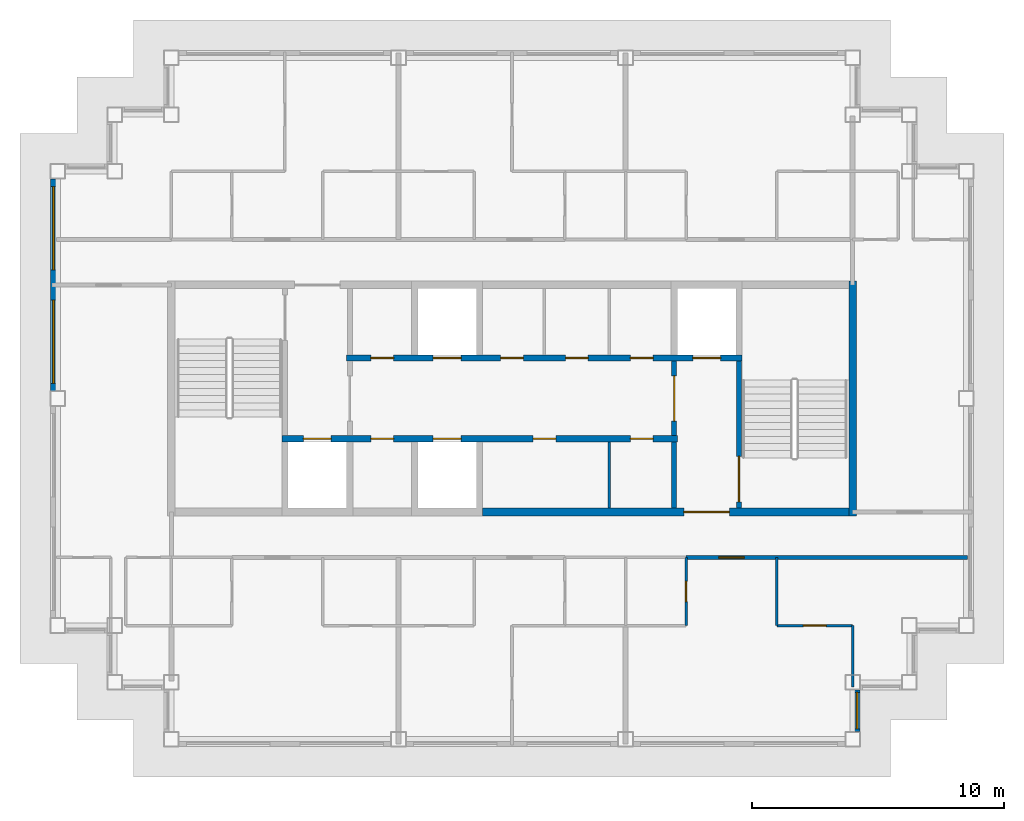
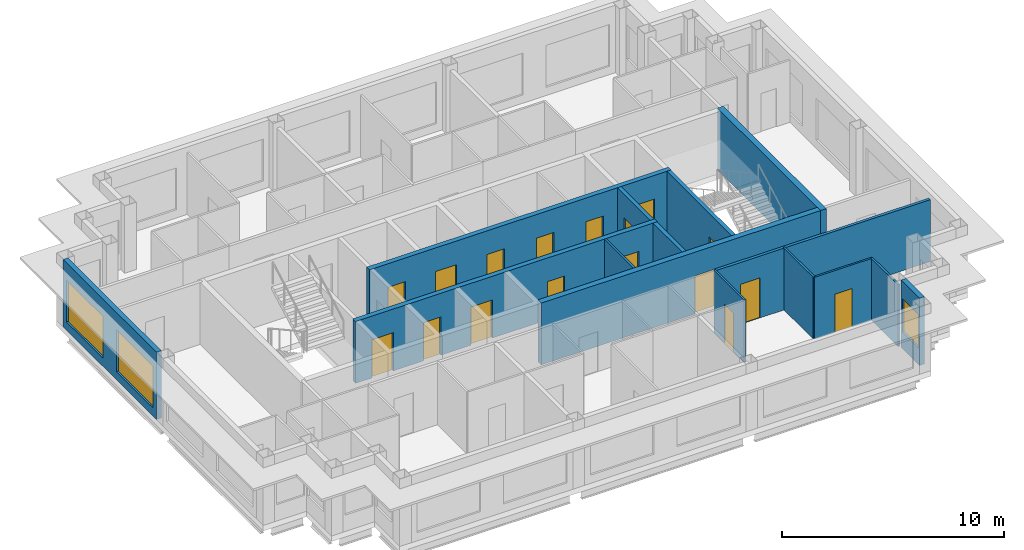
# One storey, part 3 of 11: 17 doors, 15 walls, 3 windows, 20 openings.
"""IFC4 building model written with IfcOpenShell, lengths in metres."""

from ifc_helpers import new_model, si_unit, direction, frame, frame_2d, origin, place, context, subcontext, project, spatial, rectangle, extrude, material, layer, layer_set, type_object, element, fill, save


model = new_model("IFC4")

# Units and contexts
model_context = context("Model", 3, precision=1e-05, world=origin(), true_north=direction((0.0, 1.0)))
body_context = subcontext(model_context, "Body", "Model", "MODEL_VIEW")
ifc_project = project(units=[si_unit("LENGTHUNIT", "METRE"), si_unit("AREAUNIT", "SQUARE_METRE"), si_unit("VOLUMEUNIT", "CUBIC_METRE"), si_unit("PLANEANGLEUNIT", "RADIAN"), si_unit("MASSUNIT", "GRAM", prefix="KILO")], contexts=[model_context])

# Site, building, storey
site_placement = place(None, origin())
site = spatial("IfcSite", under=ifc_project, at=site_placement, CompositionType="ELEMENT")
building_placement = place(site_placement, origin())
building = spatial("IfcBuilding", under=site, at=building_placement, Name="Caravel Reach Hotel and Residences", CompositionType="ELEMENT")
storey_placement = place(building_placement, frame((0.0, 0.0, 298.199951171875)))
storey = spatial("IfcBuildingStorey", under=building, at=storey_placement, Name="L76", CompositionType="ELEMENT", Elevation=298.199951171875)

# Wall, opening, door
ifc_material_1 = material(Name="Gypsum board on steel stud", Category="steel")
ifc_layer_1 = layer(ifc_material_1, 0.10009765625)
ifc_layer_set_1 = layer_set([ifc_layer_1], Name="Bathroom pod wall 100 mm")
wall_type_1 = type_object("IfcWallType", Name="Bathroom pod wall 100 mm", PredefinedType="PARTITIONING", material=ifc_layer_set_1)
wall_1_placement = place(storey_placement, frame((38.39990234375, 18.0, 0.0), z_axis=(0.0, 0.0, 1.0), x_axis=(0.0, 1.0, 0.0)))
wall_1 = element("IfcWall", 1, at=wall_1_placement, inside=storey, type_object=wall_type_1, Name="L76 wall w077", PredefinedType="PARTITIONING", context=body_context, shape_type="SweptSolid", body=[
    extrude(rectangle(XDim=2.699951171875, YDim=0.10009765625, at=frame_2d((1.35009765625, 0.0))), origin(), (0.0, 0.0, 1.0), 3.400146484375),
])
opening_1_placement = place(wall_1_placement, frame((0.949951171875, 0.0, 0.0)))
opening_1 = element("IfcOpeningElement", 2, at=opening_1_placement, cuts=wall_1, Name="Opening D76-037", PredefinedType="OPENING", context=body_context, shape_type="SweptSolid", body=[
    extrude(rectangle(XDim=0.800048828125, YDim=2.10009765625, at=frame_2d((0.39990234375, 1.050048828125))), frame((0.0, 0.06005859375, 0.0), z_axis=(0.0, -1.0, 0.0), x_axis=(1.0, 0.0, 0.0)), (0.0, 0.0, 1.0), 0.1201171875),
])
ifc_material_2 = material(Name="Timber and steel door leaf", Category="steel")
door_type_1 = type_object("IfcDoorType", Name="Bathroom door 800 x 2100", OperationType="SINGLE_SWING_LEFT", PredefinedType="DOOR", material=ifc_material_2)
door_1_placement = place(opening_1_placement, origin())
door_1 = element("IfcDoor", 3, at=door_1_placement, inside=storey, type_object=door_type_1, Name="door D76-037", OperationType="SINGLE_SWING_LEFT", OverallHeight=2.10009765625, OverallWidth=0.800048828125, PredefinedType="DOOR", context=body_context, shape_type="SweptSolid", body=[
    extrude(rectangle(XDim=0.800048828125, YDim=2.10009765625, at=frame_2d((0.39990234375, 1.050048828125))), frame((0.0, 0.02490234375, 0.0), z_axis=(0.0, -1.0, 0.0), x_axis=(1.0, 0.0, 0.0)), (0.0, 0.0, 1.0), 0.050048828125),
])
fill(opening_1, door_1)

# Wall
ifc_material_3 = material(Name="Autoclaved aerated block wall")
ifc_layer_2 = layer(ifc_material_3, 0.199951171875)
ifc_layer_set_2 = layer_set([ifc_layer_2], Name="Compartment wall 200 mm EI 120")
wall_type_2 = type_object("IfcWallType", Name="Compartment wall 200 mm EI 120", PredefinedType="PARTITIONING", material=ifc_layer_set_2)
wall_2_placement = place(storey_placement, frame((37.928466796875, 22.64990234375, 0.0), z_axis=(0.0, 0.0, 1.0), x_axis=(0.0, 1.0, 0.0)))
element("IfcWall", 4, at=wall_2_placement, inside=storey, type_object=wall_type_2, Name="L76 store partition", PredefinedType="PARTITIONING", context=body_context, shape_type="SweptSolid", body=[
    extrude(rectangle(XDim=2.625, YDim=0.199951171875, at=frame_2d((1.3125, 0.0))), origin(), (0.0, 0.0, 1.0), 3.400146484375),
])

# Wall, opening, door
ifc_material_4 = material(Name="Concrete C60", Category="concrete")
ifc_layer_3 = layer(ifc_material_4, 0.300048828125)
ifc_layer_set_3 = layer_set([ifc_layer_3], Name="Core wall 300 mm EI 120")
wall_type_3 = type_object("IfcWallType", Name="Core wall 300 mm EI 120", PredefinedType="SHEAR", material=ifc_layer_set_3)
wall_3_placement = place(storey_placement, frame((30.33935546875, 22.5, 0.0), z_axis=(0.0, 0.0, 1.0), x_axis=(1.0, 0.0, 0.0)))
wall_3 = element("IfcWall", 5, at=wall_3_placement, inside=storey, type_object=wall_type_3, Name="L76 core wall S3", PredefinedType="SHEAR", context=body_context, shape_type="SweptSolid", body=[
    extrude(rectangle(XDim=14.5107421875, YDim=0.300048828125, at=frame_2d((7.25537109375, 0.0))), origin(), (0.0, 0.0, 1.0), 3.400146484375),
])
opening_2_placement = place(wall_3_placement, frame((7.97509765625, 0.0, 0.0)))
opening_2 = element("IfcOpeningElement", 6, at=opening_2_placement, cuts=wall_3, Name="Opening D76-017", PredefinedType="OPENING", context=body_context, shape_type="SweptSolid", body=[
    extrude(rectangle(XDim=1.800048828125, YDim=2.10009765625, at=frame_2d((0.89990234375, 1.050048828125))), frame((0.0, 0.159912109375, 0.0), z_axis=(0.0, -1.0, 0.0), x_axis=(1.0, 0.0, 0.0)), (0.0, 0.0, 1.0), 0.320068359375),
])
ifc_material_5 = material(Name="Steel fire door leaf", Category="steel")
door_type_2 = type_object("IfcDoorType", Name="Fire lobby door pair 1800 x 2100 EI 90", OperationType="DOUBLE_DOOR_SINGLE_SWING", PredefinedType="DOOR", material=ifc_material_5)
door_2_placement = place(opening_2_placement, origin())
door_2 = element("IfcDoor", 7, at=door_2_placement, inside=storey, type_object=door_type_2, Name="lobby S door pair to corridor", OperationType="DOUBLE_DOOR_SINGLE_SWING", OverallHeight=2.10009765625, OverallWidth=1.800048828125, PredefinedType="DOOR", context=body_context, shape_type="SweptSolid", body=[
    extrude(rectangle(XDim=1.800048828125, YDim=2.10009765625, at=frame_2d((0.89990234375, 1.050048828125))), frame((0.0, 0.02490234375, 0.0), z_axis=(0.0, -1.0, 0.0), x_axis=(1.0, 0.0, 0.0)), (0.0, 0.0, 1.0), 0.050048828125),
])
fill(opening_2, door_2)

# Wall
wall_4_placement = place(storey_placement, frame((45.0, 22.35009765625, 0.0), z_axis=(0.0, 0.0, 1.0), x_axis=(0.0, 1.0, 0.0)))
element("IfcWall", 8, at=wall_4_placement, inside=storey, type_object=wall_type_3, Name="L76 core wall E", PredefinedType="SHEAR", context=body_context, shape_type="SweptSolid", body=[
    extrude(rectangle(XDim=9.2998046875, YDim=0.300048828125, at=frame_2d((4.64990234375, 0.0))), origin(), (0.0, 0.0, 1.0), 3.400146484375),
])

# Wall, opening, door
ifc_material_6 = material(Name="Gypsum board on steel stud, fire-rated", Category="steel")
ifc_layer_4 = layer(ifc_material_6, 0.14990234375)
ifc_layer_set_4 = layer_set([ifc_layer_4], Name="Corridor wall 150 mm EI 60")
wall_type_4 = type_object("IfcWallType", Name="Corridor wall 150 mm EI 60", PredefinedType="PARTITIONING", material=ifc_layer_set_4)
wall_5_placement = place(storey_placement, frame((38.39990234375, 20.699951171875, 0.0), z_axis=(0.0, 0.0, 1.0), x_axis=(1.0, 0.0, 0.0)))
wall_5 = element("IfcWall", 9, at=wall_5_placement, inside=storey, type_object=wall_type_4, Name="L76 wall w005", PredefinedType="PARTITIONING", context=body_context, shape_type="SweptSolid", body=[
    extrude(rectangle(XDim=11.150146484375, YDim=0.14990234375, at=frame_2d((5.5751953125, 0.0))), origin(), (0.0, 0.0, 1.0), 3.400146484375),
])
opening_3_placement = place(wall_5_placement, frame((1.300048828125, 0.0, 0.0)))
opening_3 = element("IfcOpeningElement", 10, at=opening_3_placement, cuts=wall_5, Name="Opening D76-036", PredefinedType="OPENING", context=body_context, shape_type="SweptSolid", body=[
    extrude(rectangle(XDim=1.0, YDim=2.199951171875, at=frame_2d((0.5, 1.10009765625))), frame((0.0, 0.0849609375, 0.0), z_axis=(0.0, -1.0, 0.0), x_axis=(1.0, 0.0, 0.0)), (0.0, 0.0, 1.0), 0.169921875),
])
ifc_material_7 = material(Name="Steel fire door leaf", Category="steel")
door_type_3 = type_object("IfcDoorType", Name="Flat entrance door 1000 x 2200 EI 60", OperationType="SINGLE_SWING_LEFT", PredefinedType="DOOR", material=ifc_material_7)
door_3_placement = place(opening_3_placement, origin())
door_3 = element("IfcDoor", 11, at=door_3_placement, inside=storey, type_object=door_type_3, Name="door D76-036", OperationType="SINGLE_SWING_LEFT", OverallHeight=2.199951171875, OverallWidth=1.0, PredefinedType="DOOR", context=body_context, shape_type="SweptSolid", body=[
    extrude(rectangle(XDim=1.0, YDim=2.199951171875, at=frame_2d((0.5, 1.10009765625))), frame((0.0, 0.02490234375, 0.0), z_axis=(0.0, -1.0, 0.0), x_axis=(1.0, 0.0, 0.0)), (0.0, 0.0, 1.0), 0.050048828125),
])
fill(opening_3, door_3)

# Wall, opening, window
ifc_material_8 = material(Name="Insulated rainscreen wall, aluminium cladding", Category="aluminium")
ifc_layer_5 = layer(ifc_material_8, 0.25)
ifc_layer_set_5 = layer_set([ifc_layer_5], Name="EW1 Tower rainscreen wall")
wall_type_5 = type_object("IfcWallType", Name="EW1 Tower rainscreen wall", PredefinedType="SOLIDWALL", material=ifc_layer_set_5)
wall_6_placement = place(storey_placement, frame((45.175048828125, 13.800048828125, 0.0), z_axis=(0.0, 0.0, 1.0), x_axis=(0.0, 1.0, 0.0)))
wall_6 = element("IfcWall", 12, at=wall_6_placement, inside=storey, type_object=wall_type_5, Name="External wall L76 E1.1", PredefinedType="SOLIDWALL", context=body_context, shape_type="SweptSolid", body=[
    extrude(rectangle(XDim=1.64990234375, YDim=0.25, at=frame_2d((0.824951171875, 0.0))), origin(), (0.0, 0.0, 1.0), 3.699951171875),
])
opening_4_placement = place(wall_6_placement, frame((0.10009765625, 0.0, 0.89990234375)))
opening_4 = element("IfcOpeningElement", 13, at=opening_4_placement, cuts=wall_6, Name="Opening WN25", PredefinedType="OPENING", context=body_context, shape_type="SweptSolid", body=[
    extrude(rectangle(XDim=1.449951171875, YDim=1.85009765625, at=frame_2d((0.72509765625, 0.925048828125))), frame((0.0, 0.135009765625, 0.0), z_axis=(0.0, -1.0, 0.0), x_axis=(1.0, 0.0, 0.0)), (0.0, 0.0, 1.0), 0.27001953125),
])
ifc_material_9 = material(Name="Dark low-e glazing in black aluminium frame", Category="aluminium")
window_type_1 = type_object("IfcWindowType", Name="Residence bedroom window 1450 x 1850", PartitioningType="SINGLE_PANEL", PredefinedType="WINDOW", material=ifc_material_9)
window_1_placement = place(opening_4_placement, origin())
window_1 = element("IfcWindow", 14, at=window_1_placement, inside=storey, type_object=window_type_1, Name="Window L76 E1.1.1", OverallHeight=1.85009765625, OverallWidth=1.449951171875, PartitioningType="SINGLE_PANEL", PredefinedType="WINDOW", context=body_context, shape_type="SweptSolid", body=[
    extrude(rectangle(XDim=1.449951171875, YDim=1.85009765625, at=frame_2d((0.72509765625, 0.925048828125))), frame((0.0, 0.030029296875, 0.0), z_axis=(0.0, -1.0, 0.0), x_axis=(1.0, 0.0, 0.0)), (0.0, 0.0, 1.0), 0.06005859375),
])
fill(opening_4, window_1)

# Wall, openings, windows
wall_7_placement = place(storey_placement, frame((13.324951171875, 35.699951171875, 0.0), z_axis=(0.0, 0.0, 1.0), x_axis=(0.0, -1.0, 0.0)))
wall_7 = element("IfcWall", 15, at=wall_7_placement, inside=storey, type_object=wall_type_5, Name="External wall L76 W15.1", PredefinedType="SOLIDWALL", context=body_context, shape_type="SweptSolid", body=[
    extrude(rectangle(XDim=8.39990234375, YDim=0.25, at=frame_2d((4.199951171875, 0.0))), origin(), (0.0, 0.0, 1.0), 3.699951171875),
])
opening_5_placement = place(wall_7_placement, frame((0.300048828125, 0.0, 0.449951171875)))
opening_5 = element("IfcOpeningElement", 16, at=opening_5_placement, cuts=wall_7, Name="Opening WN15", PredefinedType="OPENING", context=body_context, shape_type="SweptSolid", body=[
    extrude(rectangle(XDim=3.300048828125, YDim=2.300048828125, at=frame_2d((1.64990234375, 1.14990234375))), frame((0.0, 0.135009765625, 0.0), z_axis=(0.0, -1.0, 0.0), x_axis=(1.0, 0.0, 0.0)), (0.0, 0.0, 1.0), 0.27001953125),
])
opening_6_placement = place(wall_7_placement, frame((4.800048828125, 0.0, 0.449951171875)))
opening_6 = element("IfcOpeningElement", 17, at=opening_6_placement, cuts=wall_7, Name="Opening WN15", PredefinedType="OPENING", context=body_context, shape_type="SweptSolid", body=[
    extrude(rectangle(XDim=3.300048828125, YDim=2.300048828125, at=frame_2d((1.64990234375, 1.14990234375))), frame((0.0, 0.135009765625, 0.0), z_axis=(0.0, -1.0, 0.0), x_axis=(1.0, 0.0, 0.0)), (0.0, 0.0, 1.0), 0.27001953125),
])
ifc_material_10 = material(Name="Dark low-e glazing in black aluminium frame", Category="aluminium")
window_type_2 = type_object("IfcWindowType", Name="Residence living window 3300 x 2300", PartitioningType="SINGLE_PANEL", PredefinedType="WINDOW", material=ifc_material_10)
window_2_placement = place(opening_5_placement, origin())
window_2 = element("IfcWindow", 18, at=window_2_placement, inside=storey, type_object=window_type_2, Name="Window L76 W15.1.1", OverallHeight=2.300048828125, OverallWidth=3.300048828125, PartitioningType="SINGLE_PANEL", PredefinedType="WINDOW", context=body_context, shape_type="SweptSolid", body=[
    extrude(rectangle(XDim=3.300048828125, YDim=2.300048828125, at=frame_2d((1.64990234375, 1.14990234375))), frame((0.0, 0.030029296875, 0.0), z_axis=(0.0, -1.0, 0.0), x_axis=(1.0, 0.0, 0.0)), (0.0, 0.0, 1.0), 0.06005859375),
])
fill(opening_5, window_2)
window_3_placement = place(opening_6_placement, origin())
window_3 = element("IfcWindow", 19, at=window_3_placement, inside=storey, type_object=window_type_2, Name="Window L76 W15.1.2", OverallHeight=2.300048828125, OverallWidth=3.300048828125, PartitioningType="SINGLE_PANEL", PredefinedType="WINDOW", context=body_context, shape_type="SweptSolid", body=[
    extrude(rectangle(XDim=3.300048828125, YDim=2.300048828125, at=frame_2d((1.64990234375, 1.14990234375))), frame((0.0, 0.030029296875, 0.0), z_axis=(0.0, -1.0, 0.0), x_axis=(1.0, 0.0, 0.0)), (0.0, 0.0, 1.0), 0.06005859375),
])
fill(opening_6, window_3)

# Wall, opening, door
ifc_material_11 = material(Name="Autoclaved aerated block wall")
ifc_layer_6 = layer(ifc_material_11, 0.199951171875)
ifc_layer_set_6 = layer_set([ifc_layer_6], Name="Fire lobby wall 200 mm EI 120")
wall_type_6 = type_object("IfcWallType", Name="Fire lobby wall 200 mm EI 120", PredefinedType="PARTITIONING", material=ifc_layer_set_6)
wall_8_placement = place(storey_placement, frame((37.928466796875, 25.52490234375, 0.0), z_axis=(0.0, 0.0, 1.0), x_axis=(0.0, 1.0, 0.0)))
wall_8 = element("IfcWall", 20, at=wall_8_placement, inside=storey, type_object=wall_type_6, Name="L76 lobby E wall", PredefinedType="PARTITIONING", context=body_context, shape_type="SweptSolid", body=[
    extrude(rectangle(XDim=2.9501953125, YDim=0.199951171875, at=frame_2d((1.47509765625, 0.0))), origin(), (0.0, 0.0, 1.0), 3.400146484375),
])
opening_7_placement = place(wall_8_placement, frame((0.574951171875, 0.0, 0.0)))
opening_7 = element("IfcOpeningElement", 21, at=opening_7_placement, cuts=wall_8, Name="Opening D76-015", PredefinedType="OPENING", context=body_context, shape_type="SweptSolid", body=[
    extrude(rectangle(XDim=1.800048828125, YDim=2.10009765625, at=frame_2d((0.89990234375, 1.050048828125))), frame((0.0, 0.10986328125, 0.0), z_axis=(0.0, -1.0, 0.0), x_axis=(1.0, 0.0, 0.0)), (0.0, 0.0, 1.0), 0.219970703125),
])
door_4_placement = place(opening_7_placement, origin())
door_4 = element("IfcDoor", 22, at=door_4_placement, inside=storey, type_object=door_type_2, Name="lobby E door pair", OperationType="DOUBLE_DOOR_SINGLE_SWING", OverallHeight=2.10009765625, OverallWidth=1.800048828125, PredefinedType="DOOR", context=body_context, shape_type="SweptSolid", body=[
    extrude(rectangle(XDim=1.800048828125, YDim=2.10009765625, at=frame_2d((0.89990234375, 1.050048828125))), frame((0.0, 0.02490234375, 0.0), z_axis=(0.0, -1.0, 0.0), x_axis=(1.0, 0.0, 0.0)), (0.0, 0.0, 1.0), 0.050048828125),
])
fill(opening_7, door_4)

# Wall
ifc_material_12 = material(Name="Gypsum board on steel stud", Category="steel")
ifc_layer_7 = layer(ifc_material_12, 0.10009765625)
ifc_layer_set_7 = layer_set([ifc_layer_7], Name="Partition 100 mm")
wall_type_7 = type_object("IfcWallType", Name="Partition 100 mm", PredefinedType="PARTITIONING", material=ifc_layer_set_7)
wall_9_placement = place(storey_placement, frame((35.357177734375, 22.64990234375, 0.0), z_axis=(0.0, 0.0, 1.0), x_axis=(0.0, 1.0, 0.0)))
element("IfcWall", 23, at=wall_9_placement, inside=storey, type_object=wall_type_7, Name="L76 store partition", PredefinedType="PARTITIONING", context=body_context, shape_type="SweptSolid", body=[
    extrude(rectangle(XDim=2.625, YDim=0.10009765625, at=frame_2d((1.3125, 0.0))), origin(), (0.0, 0.0, 1.0), 3.400146484375),
])

# Wall, opening, door
wall_10_placement = place(storey_placement, frame((42.0, 18.0, 0.0), z_axis=(0.0, 0.0, 1.0), x_axis=(1.0, 0.0, 0.0)))
wall_10 = element("IfcWall", 24, at=wall_10_placement, inside=storey, type_object=wall_type_7, Name="L76 wall w022", PredefinedType="PARTITIONING", context=body_context, shape_type="SweptSolid", body=[
    extrude(rectangle(XDim=3.0, YDim=0.10009765625, at=frame_2d((1.5, 0.0))), origin(), (0.0, 0.0, 1.0), 3.400146484375),
])
opening_8_placement = place(wall_10_placement, frame((1.050048828125, 0.0, 0.0)))
opening_8 = element("IfcOpeningElement", 25, at=opening_8_placement, cuts=wall_10, Name="Opening D76-038", PredefinedType="OPENING", context=body_context, shape_type="SweptSolid", body=[
    extrude(rectangle(XDim=0.89990234375, YDim=2.10009765625, at=frame_2d((0.449951171875, 1.050048828125))), frame((0.0, 0.06005859375, 0.0), z_axis=(0.0, -1.0, 0.0), x_axis=(1.0, 0.0, 0.0)), (0.0, 0.0, 1.0), 0.1201171875),
])
ifc_material_13 = material(Name="Timber and steel door leaf", Category="steel")
door_type_4 = type_object("IfcDoorType", Name="Door 900 x 2100 timber", OperationType="SINGLE_SWING_LEFT", PredefinedType="DOOR", material=ifc_material_13)
door_5_placement = place(opening_8_placement, origin())
door_5 = element("IfcDoor", 26, at=door_5_placement, inside=storey, type_object=door_type_4, Name="door D76-038", OperationType="SINGLE_SWING_RIGHT", OverallHeight=2.10009765625, OverallWidth=0.89990234375, PredefinedType="DOOR", context=body_context, shape_type="SweptSolid", body=[
    extrude(rectangle(XDim=0.89990234375, YDim=2.10009765625, at=frame_2d((0.449951171875, 1.050048828125))), frame((0.0, 0.02490234375, 0.0), z_axis=(0.0, -1.0, 0.0), x_axis=(1.0, 0.0, 0.0)), (0.0, 0.0, 1.0), 0.050048828125),
])
fill(opening_8, door_5)

# Walls
wall_11_placement = place(storey_placement, frame((42.0, 18.0, 0.0), z_axis=(0.0, 0.0, 1.0), x_axis=(0.0, 1.0, 0.0)))
element("IfcWall", 27, at=wall_11_placement, inside=storey, type_object=wall_type_7, Name="L76 wall w041", PredefinedType="PARTITIONING", context=body_context, shape_type="SweptSolid", body=[
    extrude(rectangle(XDim=2.699951171875, YDim=0.10009765625, at=frame_2d((1.35009765625, 0.0))), origin(), (0.0, 0.0, 1.0), 3.400146484375),
])
wall_12_placement = place(storey_placement, frame((45.0, 15.56005859375, 0.0), z_axis=(0.0, 0.0, 1.0), x_axis=(0.0, 1.0, 0.0)))
element("IfcWall", 28, at=wall_12_placement, inside=storey, type_object=wall_type_7, Name="L76 wall w042", PredefinedType="PARTITIONING", context=body_context, shape_type="SweptSolid", body=[
    extrude(rectangle(XDim=2.43994140625, YDim=0.10009765625, at=frame_2d((1.219970703125, 0.0))), origin(), (0.0, 0.0, 1.0), 3.400146484375),
])

# Wall, openings, doors
ifc_material_14 = material(Name="Concrete C60", Category="concrete")
ifc_layer_8 = layer(ifc_material_14, 0.25)
ifc_layer_set_8 = layer_set([ifc_layer_8], Name="Shaft wall 250 mm EI 120")
wall_type_8 = type_object("IfcWallType", Name="Shaft wall 250 mm EI 120", PredefinedType="SHEAR", material=ifc_layer_set_8)
wall_13_placement = place(storey_placement, frame((22.375, 25.39990234375, 0.0), z_axis=(0.0, 0.0, 1.0), x_axis=(1.0, 0.0, 0.0)))
wall_13 = element("IfcWall", 29, at=wall_13_placement, inside=storey, type_object=wall_type_8, Name="L76 lobby wall S1", PredefinedType="SHEAR", context=body_context, shape_type="SweptSolid", body=[
    extrude(rectangle(XDim=15.678466796875, YDim=0.25, at=frame_2d((7.83935546875, 0.0))), origin(), (0.0, 0.0, 1.0), 3.400146484375),
])
opening_9_placement = place(wall_13_placement, frame((6.003662109375, 0.0, 0.0)))
opening_9 = element("IfcOpeningElement", 30, at=opening_9_placement, cuts=wall_13, Name="Opening D76-001", PredefinedType="OPENING", context=body_context, shape_type="SweptSolid", body=[
    extrude(rectangle(XDim=1.10009765625, YDim=2.10009765625, at=frame_2d((0.550048828125, 1.050048828125))), frame((0.0, 0.135009765625, 0.0), z_axis=(0.0, -1.0, 0.0), x_axis=(1.0, 0.0, 0.0)), (0.0, 0.0, 1.0), 0.27001953125),
])
opening_10_placement = place(wall_13_placement, frame((0.860595703125, 0.0, 0.0)))
opening_10 = element("IfcOpeningElement", 31, at=opening_10_placement, cuts=wall_13, Name="Opening D76-003", PredefinedType="OPENING", context=body_context, shape_type="SweptSolid", body=[
    extrude(rectangle(XDim=1.10009765625, YDim=2.10009765625, at=frame_2d((0.550048828125, 1.050048828125))), frame((0.0, 0.135009765625, 0.0), z_axis=(0.0, -1.0, 0.0), x_axis=(1.0, 0.0, 0.0)), (0.0, 0.0, 1.0), 0.27001953125),
])
opening_11_placement = place(wall_13_placement, frame((3.531982421875, 0.0, 0.0)))
opening_11 = element("IfcOpeningElement", 32, at=opening_11_placement, cuts=wall_13, Name="Opening D76-005", PredefinedType="OPENING", context=body_context, shape_type="SweptSolid", body=[
    extrude(rectangle(XDim=0.89990234375, YDim=2.10009765625, at=frame_2d((0.449951171875, 1.050048828125))), frame((0.0, 0.135009765625, 0.0), z_axis=(0.0, -1.0, 0.0), x_axis=(1.0, 0.0, 0.0)), (0.0, 0.0, 1.0), 0.27001953125),
])
opening_12_placement = place(wall_13_placement, frame((9.960693359375, 0.0, 0.0)))
opening_12 = element("IfcOpeningElement", 33, at=opening_12_placement, cuts=wall_13, Name="Opening D76-006", PredefinedType="OPENING", context=body_context, shape_type="SweptSolid", body=[
    extrude(rectangle(XDim=0.89990234375, YDim=2.10009765625, at=frame_2d((0.449951171875, 1.050048828125))), frame((0.0, 0.135009765625, 0.0), z_axis=(0.0, -1.0, 0.0), x_axis=(1.0, 0.0, 0.0)), (0.0, 0.0, 1.0), 0.27001953125),
])
opening_13_placement = place(wall_13_placement, frame((13.81787109375, 0.0, 0.0)))
opening_13 = element("IfcOpeningElement", 34, at=opening_13_placement, cuts=wall_13, Name="Opening D76-007", PredefinedType="OPENING", context=body_context, shape_type="SweptSolid", body=[
    extrude(rectangle(XDim=0.89990234375, YDim=2.10009765625, at=frame_2d((0.449951171875, 1.050048828125))), frame((0.0, 0.135009765625, 0.0), z_axis=(0.0, -1.0, 0.0), x_axis=(1.0, 0.0, 0.0)), (0.0, 0.0, 1.0), 0.27001953125),
])
ifc_material_15 = material(Name="Stainless steel landing door", Category="steel")
door_type_5 = type_object("IfcDoorType", Name="Landing door LD 1100 x 2100 sliding", OperationType="DOUBLE_DOOR_SLIDING", PredefinedType="DOOR", material=ifc_material_15)
door_6_placement = place(opening_9_placement, origin())
door_6 = element("IfcDoor", 35, at=door_6_placement, inside=storey, type_object=door_type_5, Name="HP1 landing door", OperationType="DOUBLE_DOOR_SLIDING", OverallHeight=2.10009765625, OverallWidth=1.10009765625, PredefinedType="DOOR", context=body_context, shape_type="SweptSolid", body=[
    extrude(rectangle(XDim=1.10009765625, YDim=2.10009765625, at=frame_2d((0.550048828125, 1.050048828125))), frame((0.0, 0.02490234375, 0.0), z_axis=(0.0, -1.0, 0.0), x_axis=(1.0, 0.0, 0.0)), (0.0, 0.0, 1.0), 0.050048828125),
])
fill(opening_9, door_6)
door_7_placement = place(opening_10_placement, origin())
door_7 = element("IfcDoor", 36, at=door_7_placement, inside=storey, type_object=door_type_5, Name="FL1 landing door", OperationType="DOUBLE_DOOR_SLIDING", OverallHeight=2.10009765625, OverallWidth=1.10009765625, PredefinedType="DOOR", context=body_context, shape_type="SweptSolid", body=[
    extrude(rectangle(XDim=1.10009765625, YDim=2.10009765625, at=frame_2d((0.550048828125, 1.050048828125))), frame((0.0, 0.02490234375, 0.0), z_axis=(0.0, -1.0, 0.0), x_axis=(1.0, 0.0, 0.0)), (0.0, 0.0, 1.0), 0.050048828125),
])
fill(opening_10, door_7)
ifc_material_16 = material(Name="Steel fire door leaf", Category="steel")
door_type_6 = type_object("IfcDoorType", Name="Riser door 900 x 2100 EI 60", OperationType="SINGLE_SWING_LEFT", PredefinedType="DOOR", material=ifc_material_16)
door_8_placement = place(opening_11_placement, origin())
door_8 = element("IfcDoor", 37, at=door_8_placement, inside=storey, type_object=door_type_6, Name="Electrical riser room door", OperationType="SINGLE_SWING_LEFT", OverallHeight=2.10009765625, OverallWidth=0.89990234375, PredefinedType="DOOR", context=body_context, shape_type="SweptSolid", body=[
    extrude(rectangle(XDim=0.89990234375, YDim=2.10009765625, at=frame_2d((0.449951171875, 1.050048828125))), frame((0.0, 0.02490234375, 0.0), z_axis=(0.0, -1.0, 0.0), x_axis=(1.0, 0.0, 0.0)), (0.0, 0.0, 1.0), 0.050048828125),
])
fill(opening_11, door_8)
door_9_placement = place(opening_12_placement, origin())
door_9 = element("IfcDoor", 38, at=door_9_placement, inside=storey, type_object=door_type_6, Name="Comms room door", OperationType="SINGLE_SWING_LEFT", OverallHeight=2.10009765625, OverallWidth=0.89990234375, PredefinedType="DOOR", context=body_context, shape_type="SweptSolid", body=[
    extrude(rectangle(XDim=0.89990234375, YDim=2.10009765625, at=frame_2d((0.449951171875, 1.050048828125))), frame((0.0, 0.02490234375, 0.0), z_axis=(0.0, -1.0, 0.0), x_axis=(1.0, 0.0, 0.0)), (0.0, 0.0, 1.0), 0.050048828125),
])
fill(opening_12, door_9)
door_10_placement = place(opening_13_placement, origin())
door_10 = element("IfcDoor", 39, at=door_10_placement, inside=storey, type_object=door_type_6, Name="Refuse store door", OperationType="SINGLE_SWING_LEFT", OverallHeight=2.10009765625, OverallWidth=0.89990234375, PredefinedType="DOOR", context=body_context, shape_type="SweptSolid", body=[
    extrude(rectangle(XDim=0.89990234375, YDim=2.10009765625, at=frame_2d((0.449951171875, 1.050048828125))), frame((0.0, 0.02490234375, 0.0), z_axis=(0.0, -1.0, 0.0), x_axis=(1.0, 0.0, 0.0)), (0.0, 0.0, 1.0), 0.050048828125),
])
fill(opening_13, door_10)

wall_14_placement = place(storey_placement, frame((24.946533203125, 28.60009765625, 0.0), z_axis=(0.0, 0.0, 1.0), x_axis=(1.0, 0.0, 0.0)))
wall_14 = element("IfcWall", 40, at=wall_14_placement, inside=storey, type_object=wall_type_8, Name="L76 lobby wall N1", PredefinedType="SHEAR", context=body_context, shape_type="SweptSolid", body=[
    extrude(rectangle(XDim=15.678466796875, YDim=0.25, at=frame_2d((7.83935546875, 0.0))), origin(), (0.0, 0.0, 1.0), 3.400146484375),
])
opening_14_placement = place(wall_14_placement, frame((3.43212890625, 0.0, 0.0)))
opening_14 = element("IfcOpeningElement", 41, at=opening_14_placement, cuts=wall_14, Name="Opening D76-002", PredefinedType="OPENING", context=body_context, shape_type="SweptSolid", body=[
    extrude(rectangle(XDim=1.10009765625, YDim=2.10009765625, at=frame_2d((0.550048828125, 1.050048828125))), frame((0.0, 0.135009765625, 0.0), z_axis=(0.0, -1.0, 0.0), x_axis=(1.0, 0.0, 0.0)), (0.0, 0.0, 1.0), 0.27001953125),
])
opening_15_placement = place(wall_14_placement, frame((13.718017578125, 0.0, 0.0)))
opening_15 = element("IfcOpeningElement", 42, at=opening_15_placement, cuts=wall_14, Name="Opening D76-004", PredefinedType="OPENING", context=body_context, shape_type="SweptSolid", body=[
    extrude(rectangle(XDim=1.10009765625, YDim=2.10009765625, at=frame_2d((0.550048828125, 1.050048828125))), frame((0.0, 0.135009765625, 0.0), z_axis=(0.0, -1.0, 0.0), x_axis=(1.0, 0.0, 0.0)), (0.0, 0.0, 1.0), 0.27001953125),
])
opening_16_placement = place(wall_14_placement, frame((0.960693359375, 0.0, 0.0)))
opening_16 = element("IfcOpeningElement", 43, at=opening_16_placement, cuts=wall_14, Name="Opening D76-008", PredefinedType="OPENING", context=body_context, shape_type="SweptSolid", body=[
    extrude(rectangle(XDim=0.89990234375, YDim=2.10009765625, at=frame_2d((0.449951171875, 1.050048828125))), frame((0.0, 0.135009765625, 0.0), z_axis=(0.0, -1.0, 0.0), x_axis=(1.0, 0.0, 0.0)), (0.0, 0.0, 1.0), 0.27001953125),
])
opening_17_placement = place(wall_14_placement, frame((6.103515625, 0.0, 0.0)))
opening_17 = element("IfcOpeningElement", 44, at=opening_17_placement, cuts=wall_14, Name="Opening D76-009", PredefinedType="OPENING", context=body_context, shape_type="SweptSolid", body=[
    extrude(rectangle(XDim=0.89990234375, YDim=2.10009765625, at=frame_2d((0.449951171875, 1.050048828125))), frame((0.0, 0.135009765625, 0.0), z_axis=(0.0, -1.0, 0.0), x_axis=(1.0, 0.0, 0.0)), (0.0, 0.0, 1.0), 0.27001953125),
])
opening_18_placement = place(wall_14_placement, frame((8.675048828125, 0.0, 0.0)))
opening_18 = element("IfcOpeningElement", 45, at=opening_18_placement, cuts=wall_14, Name="Opening D76-010", PredefinedType="OPENING", context=body_context, shape_type="SweptSolid", body=[
    extrude(rectangle(XDim=0.89990234375, YDim=2.10009765625, at=frame_2d((0.449951171875, 1.050048828125))), frame((0.0, 0.135009765625, 0.0), z_axis=(0.0, -1.0, 0.0), x_axis=(1.0, 0.0, 0.0)), (0.0, 0.0, 1.0), 0.27001953125),
])
opening_19_placement = place(wall_14_placement, frame((11.246337890625, 0.0, 0.0)))
opening_19 = element("IfcOpeningElement", 46, at=opening_19_placement, cuts=wall_14, Name="Opening D76-011", PredefinedType="OPENING", context=body_context, shape_type="SweptSolid", body=[
    extrude(rectangle(XDim=0.89990234375, YDim=2.10009765625, at=frame_2d((0.449951171875, 1.050048828125))), frame((0.0, 0.135009765625, 0.0), z_axis=(0.0, -1.0, 0.0), x_axis=(1.0, 0.0, 0.0)), (0.0, 0.0, 1.0), 0.27001953125),
])
door_11_placement = place(opening_14_placement, origin())
door_11 = element("IfcDoor", 47, at=door_11_placement, inside=storey, type_object=door_type_5, Name="HP2 landing door", OperationType="DOUBLE_DOOR_SLIDING", OverallHeight=2.10009765625, OverallWidth=1.10009765625, PredefinedType="DOOR", context=body_context, shape_type="SweptSolid", body=[
    extrude(rectangle(XDim=1.10009765625, YDim=2.10009765625, at=frame_2d((0.550048828125, 1.050048828125))), frame((0.0, 0.02490234375, 0.0), z_axis=(0.0, -1.0, 0.0), x_axis=(1.0, 0.0, 0.0)), (0.0, 0.0, 1.0), 0.050048828125),
])
fill(opening_14, door_11)
door_12_placement = place(opening_15_placement, origin())
door_12 = element("IfcDoor", 48, at=door_12_placement, inside=storey, type_object=door_type_5, Name="FL2 landing door", OperationType="DOUBLE_DOOR_SLIDING", OverallHeight=2.10009765625, OverallWidth=1.10009765625, PredefinedType="DOOR", context=body_context, shape_type="SweptSolid", body=[
    extrude(rectangle(XDim=1.10009765625, YDim=2.10009765625, at=frame_2d((0.550048828125, 1.050048828125))), frame((0.0, 0.02490234375, 0.0), z_axis=(0.0, -1.0, 0.0), x_axis=(1.0, 0.0, 0.0)), (0.0, 0.0, 1.0), 0.050048828125),
])
fill(opening_15, door_12)
door_13_placement = place(opening_16_placement, origin())
door_13 = element("IfcDoor", 49, at=door_13_placement, inside=storey, type_object=door_type_6, Name="Package store door", OperationType="SINGLE_SWING_LEFT", OverallHeight=2.10009765625, OverallWidth=0.89990234375, PredefinedType="DOOR", context=body_context, shape_type="SweptSolid", body=[
    extrude(rectangle(XDim=0.89990234375, YDim=2.10009765625, at=frame_2d((0.449951171875, 1.050048828125))), frame((0.0, 0.02490234375, 0.0), z_axis=(0.0, -1.0, 0.0), x_axis=(1.0, 0.0, 0.0)), (0.0, 0.0, 1.0), 0.050048828125),
])
fill(opening_16, door_13)
door_14_placement = place(opening_17_placement, origin())
door_14 = element("IfcDoor", 50, at=door_14_placement, inside=storey, type_object=door_type_6, Name="Water tank room door", OperationType="SINGLE_SWING_LEFT", OverallHeight=2.10009765625, OverallWidth=0.89990234375, PredefinedType="DOOR", context=body_context, shape_type="SweptSolid", body=[
    extrude(rectangle(XDim=0.89990234375, YDim=2.10009765625, at=frame_2d((0.449951171875, 1.050048828125))), frame((0.0, 0.02490234375, 0.0), z_axis=(0.0, -1.0, 0.0), x_axis=(1.0, 0.0, 0.0)), (0.0, 0.0, 1.0), 0.050048828125),
])
fill(opening_17, door_14)
door_15_placement = place(opening_18_placement, origin())
door_15 = element("IfcDoor", 51, at=door_15_placement, inside=storey, type_object=door_type_6, Name="Telecom room door", OperationType="SINGLE_SWING_LEFT", OverallHeight=2.10009765625, OverallWidth=0.89990234375, PredefinedType="DOOR", context=body_context, shape_type="SweptSolid", body=[
    extrude(rectangle(XDim=0.89990234375, YDim=2.10009765625, at=frame_2d((0.449951171875, 1.050048828125))), frame((0.0, 0.02490234375, 0.0), z_axis=(0.0, -1.0, 0.0), x_axis=(1.0, 0.0, 0.0)), (0.0, 0.0, 1.0), 0.050048828125),
])
fill(opening_18, door_15)
door_16_placement = place(opening_19_placement, origin())
door_16 = element("IfcDoor", 52, at=door_16_placement, inside=storey, type_object=door_type_6, Name="Recycling store door", OperationType="SINGLE_SWING_LEFT", OverallHeight=2.10009765625, OverallWidth=0.89990234375, PredefinedType="DOOR", context=body_context, shape_type="SweptSolid", body=[
    extrude(rectangle(XDim=0.89990234375, YDim=2.10009765625, at=frame_2d((0.449951171875, 1.050048828125))), frame((0.0, 0.02490234375, 0.0), z_axis=(0.0, -1.0, 0.0), x_axis=(1.0, 0.0, 0.0)), (0.0, 0.0, 1.0), 0.050048828125),
])
fill(opening_19, door_16)

# Wall, opening, door
ifc_material_17 = material(Name="Concrete C60", Category="concrete")
ifc_layer_9 = layer(ifc_material_17, 0.199951171875)
ifc_layer_set_9 = layer_set([ifc_layer_9], Name="Stair enclosure wall 200 mm EI 120")
wall_type_9 = type_object("IfcWallType", Name="Stair enclosure wall 200 mm EI 120", PredefinedType="SHEAR", material=ifc_layer_set_9)
wall_15_placement = place(storey_placement, frame((40.5, 22.64990234375, 0.0), z_axis=(0.0, 0.0, 1.0), x_axis=(0.0, 1.0, 0.0)))
wall_15 = element("IfcWall", 53, at=wall_15_placement, inside=storey, type_object=wall_type_9, Name="L76 stair B wall", PredefinedType="SHEAR", context=body_context, shape_type="SweptSolid", body=[
    extrude(rectangle(XDim=5.8251953125, YDim=0.199951171875, at=frame_2d((2.91259765625, 0.0))), origin(), (0.0, 0.0, 1.0), 3.400146484375),
])
opening_20_placement = place(wall_15_placement, frame((0.25, 0.0, 0.0)))
opening_20 = element("IfcOpeningElement", 54, at=opening_20_placement, cuts=wall_15, Name="Opening D76-013", PredefinedType="OPENING", context=body_context, shape_type="SweptSolid", body=[
    extrude(rectangle(XDim=1.800048828125, YDim=2.10009765625, at=frame_2d((0.89990234375, 1.050048828125))), frame((0.0, 0.10986328125, 0.0), z_axis=(0.0, -1.0, 0.0), x_axis=(1.0, 0.0, 0.0)), (0.0, 0.0, 1.0), 0.219970703125),
])
ifc_material_18 = material(Name="Steel fire door leaf", Category="steel")
door_type_7 = type_object("IfcDoorType", Name="Stair door pair 1800 x 2100 EI 90", OperationType="DOUBLE_DOOR_SINGLE_SWING", PredefinedType="DOOR", material=ifc_material_18)
door_17_placement = place(opening_20_placement, origin())
door_17 = element("IfcDoor", 55, at=door_17_placement, inside=storey, type_object=door_type_7, Name="stair B door pair", OperationType="DOUBLE_DOOR_SINGLE_SWING", OverallHeight=2.10009765625, OverallWidth=1.800048828125, PredefinedType="DOOR", context=body_context, shape_type="SweptSolid", body=[
    extrude(rectangle(XDim=1.800048828125, YDim=2.10009765625, at=frame_2d((0.89990234375, 1.050048828125))), frame((0.0, 0.02490234375, 0.0), z_axis=(0.0, -1.0, 0.0), x_axis=(1.0, 0.0, 0.0)), (0.0, 0.0, 1.0), 0.050048828125),
])
fill(opening_20, door_17)

save(model, "model.ifc")
